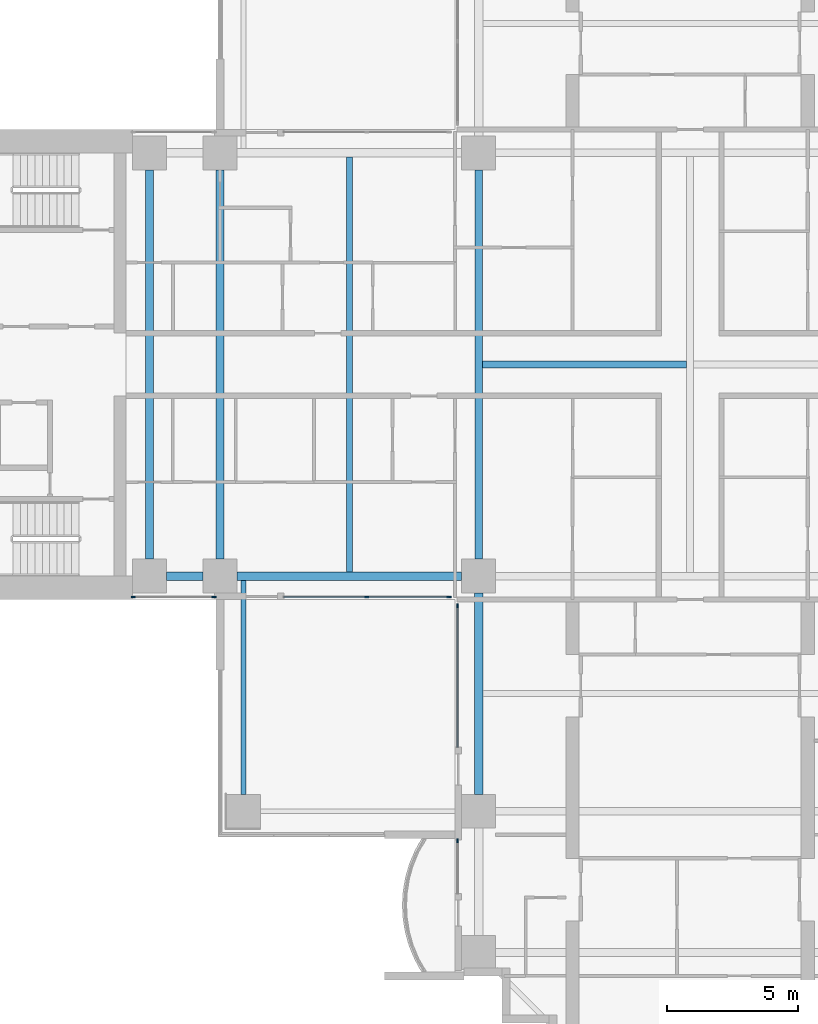
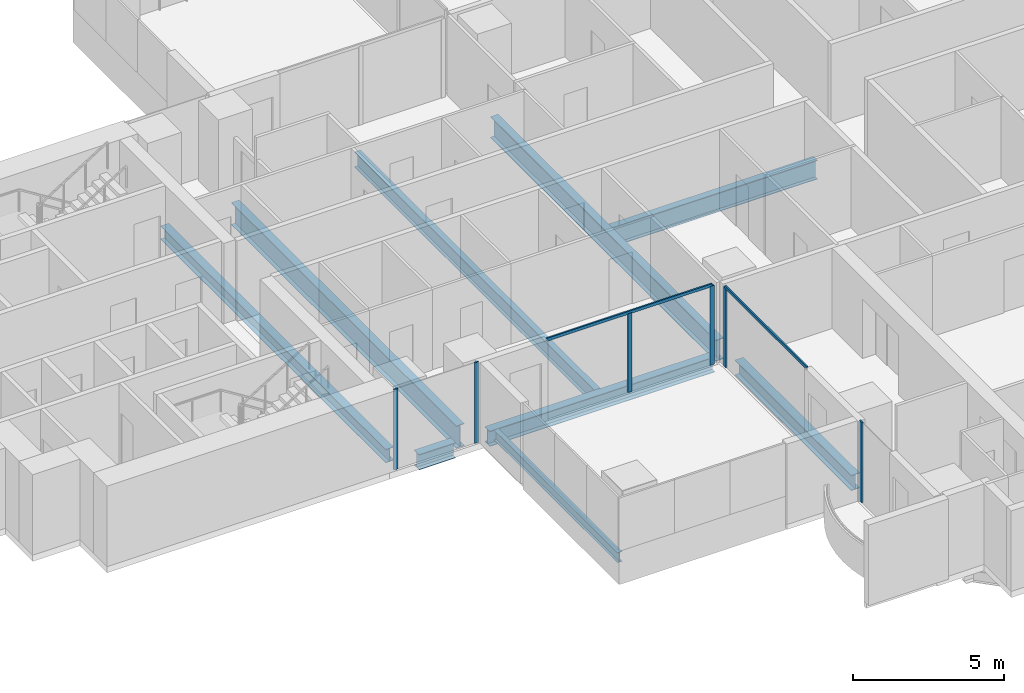
# One storey, part 2 of 21: 9 beams, 8 members, 4 elements without a shape of their own.
"""IFC4 building model written with IfcOpenShell, lengths in metres."""

from ifc_helpers import new_model, si_unit, direction, frame, origin, origin_2d, place, context, subcontext, project, spatial, rectangle, i_section, extrude, material, material_profile, profile_set, type_object, element, aggregate, save


model = new_model("IFC4")

# Units and contexts
model_context = context("Model", 3, precision=1e-05, world=origin(), true_north=direction((0.0, 1.0)))
body_context = subcontext(model_context, "Body", "Model", "MODEL_VIEW")
ifc_project = project(units=[si_unit("LENGTHUNIT", "METRE"), si_unit("AREAUNIT", "SQUARE_METRE"), si_unit("VOLUMEUNIT", "CUBIC_METRE"), si_unit("PLANEANGLEUNIT", "RADIAN"), si_unit("MASSUNIT", "GRAM", prefix="KILO")], contexts=[model_context])

# Site, building, storey
site_placement = place(None, origin())
site = spatial("IfcSite", under=ifc_project, at=site_placement, CompositionType="ELEMENT")
building_placement = place(site_placement, origin())
building = spatial("IfcBuilding", under=site, at=building_placement, Name="Perihelion Cross Residences", CompositionType="ELEMENT")
storey_placement = place(building_placement, frame((0.0, 0.0, 43.5)))
storey = spatial("IfcBuildingStorey", under=building, at=storey_placement, Name="L07", CompositionType="ELEMENT", Elevation=43.5)

# Curtain wall, members
ifc_material_1 = material(Name="Bronze anodised aluminium, tinted glazing", Category="aluminium")
curtain_wall_type = type_object("IfcCurtainWallType", Name="CW1", PredefinedType="NOTDEFINED", material=ifc_material_1)
curtain_wall_1_placement = place(storey_placement, origin())
curtain_wall_1 = element("IfcCurtainWall", 1, at=curtain_wall_1_placement, inside=storey, type_object=curtain_wall_type, Name="Curtain wall CW1 L07 west side south bay 1", PredefinedType="NOTDEFINED")
ifc_material_2 = material(Name="Bronze anodised aluminium", Category="aluminium")
ifc_material_profile_1 = material_profile(ifc_material_2, rectangle(XDim=0.06005859375, YDim=0.159912109375, at=origin_2d()), Name="CW1 mullion")
ifc_profile_set_1 = profile_set([ifc_material_profile_1], Name="Bronze anodised aluminium")
member_type_1 = type_object("IfcMemberType", Name="CW1 mullion", PredefinedType="MULLION", material=ifc_profile_set_1)
member_1_placement = place(storey_placement, frame((-21.320068359375, -8.89990234375, 0.0), z_axis=(0.0, 0.0, 1.0), x_axis=(0.0, 1.0, 0.0)))
member_1 = element("IfcMember", 2, at=member_1_placement, type_object=member_type_1, Name="CW1 mullion 1", PredefinedType="MULLION", context=body_context, shape_type="SweptSolid", body=[
    extrude(rectangle(XDim=0.06005859375, YDim=0.159912109375, at=origin_2d()), origin(), (0.0, 0.0, 1.0), 3.25),
])
member_2_placement = place(storey_placement, frame((-18.22998046875, -8.89990234375, 0.0), z_axis=(0.0, 0.0, 1.0), x_axis=(0.0, 1.0, 0.0)))
member_2 = element("IfcMember", 3, at=member_2_placement, type_object=member_type_1, Name="CW1 mullion 2", PredefinedType="MULLION", context=body_context, shape_type="SweptSolid", body=[
    extrude(rectangle(XDim=0.06005859375, YDim=0.159912109375, at=origin_2d()), origin(), (0.0, 0.0, 1.0), 3.25),
])
aggregate(curtain_wall_1, [member_1, member_2])

curtain_wall_2_placement = place(storey_placement, origin())
curtain_wall_2 = element("IfcCurtainWall", 4, at=curtain_wall_2_placement, inside=storey, type_object=curtain_wall_type, Name="Curtain wall CW1 L07 west side south bay 2", PredefinedType="NOTDEFINED")
member_3_placement = place(storey_placement, frame((-12.375, -8.89990234375, 0.0), z_axis=(0.0, 0.0, 1.0), x_axis=(0.0, 1.0, 0.0)))
member_3 = element("IfcMember", 5, at=member_3_placement, type_object=member_type_1, Name="CW1 mullion 2", PredefinedType="MULLION", context=body_context, shape_type="SweptSolid", body=[
    extrude(rectangle(XDim=0.06005859375, YDim=0.159912109375, at=origin_2d()), origin(), (0.0, 0.0, 1.0), 3.18994140625),
])
member_4_placement = place(storey_placement, frame((-9.22998046875, -8.89990234375, 0.0), z_axis=(0.0, 0.0, 1.0), x_axis=(0.0, 1.0, 0.0)))
member_4 = element("IfcMember", 6, at=member_4_placement, type_object=member_type_1, Name="CW1 mullion 3", PredefinedType="MULLION", context=body_context, shape_type="SweptSolid", body=[
    extrude(rectangle(XDim=0.06005859375, YDim=0.159912109375, at=origin_2d()), origin(), (0.0, 0.0, 1.0), 3.18994140625),
])

# Curtain wall, member
curtain_wall_3_placement = place(storey_placement, origin())
curtain_wall_3 = element("IfcCurtainWall", 7, at=curtain_wall_3_placement, inside=storey, type_object=curtain_wall_type, Name="Curtain wall CW1 L07 south side west bay 1", PredefinedType="NOTDEFINED")
member_5_placement = place(storey_placement, frame((-8.89990234375, -9.22998046875, 0.0), z_axis=(0.0, 0.0, 1.0), x_axis=(1.0, 0.0, 0.0)))
member_5 = element("IfcMember", 8, at=member_5_placement, type_object=member_type_1, Name="CW1 mullion 1", PredefinedType="MULLION", context=body_context, shape_type="SweptSolid", body=[
    extrude(rectangle(XDim=0.06005859375, YDim=0.159912109375, at=origin_2d()), origin(), (0.0, 0.0, 1.0), 3.18994140625),
])

curtain_wall_4_placement = place(storey_placement, origin())
curtain_wall_4 = element("IfcCurtainWall", 9, at=curtain_wall_4_placement, inside=storey, type_object=curtain_wall_type, Name="Curtain wall CW1 L07 south side west bay 2", PredefinedType="NOTDEFINED")
member_6_placement = place(storey_placement, frame((-8.89990234375, -18.22998046875, 0.0), z_axis=(0.0, 0.0, 1.0), x_axis=(1.0, 0.0, 0.0)))
member_6 = element("IfcMember", 10, at=member_6_placement, type_object=member_type_1, Name="CW1 mullion 1", PredefinedType="MULLION", context=body_context, shape_type="SweptSolid", body=[
    extrude(rectangle(XDim=0.06005859375, YDim=0.159912109375, at=origin_2d()), origin(), (0.0, 0.0, 1.0), 3.25),
])
aggregate(curtain_wall_4, [member_6])

# Member
ifc_material_3 = material(Name="Bronze anodised aluminium", Category="aluminium")
ifc_material_profile_2 = material_profile(ifc_material_3, rectangle(XDim=0.06005859375, YDim=0.1201171875, at=origin_2d()), Name="CW1 transom")
ifc_profile_set_2 = profile_set([ifc_material_profile_2], Name="Bronze anodised aluminium")
member_type_2 = type_object("IfcMemberType", Name="CW1 transom", PredefinedType="USERDEFINED", material=ifc_profile_set_2)
member_7_placement = place(storey_placement, frame((-15.550048828125, -8.89990234375, 3.219970703125), z_axis=(1.0, 0.0, 0.0), x_axis=(0.0, 1.0, 0.0)))
member_7 = element("IfcMember", 11, at=member_7_placement, type_object=member_type_2, Name="CW1 head transom", ObjectType="TRANSOM", PredefinedType="USERDEFINED", context=body_context, shape_type="SweptSolid", body=[
    extrude(rectangle(XDim=0.06005859375, YDim=0.1201171875, at=origin_2d()), origin(), (0.0, 0.0, 1.0), 6.320068359375),
])

aggregate(curtain_wall_2, [member_3, member_4, member_7])

member_8_placement = place(storey_placement, frame((-8.89990234375, -9.22998046875, 3.219970703125), z_axis=(0.0, -1.0, 0.0), x_axis=(1.0, 0.0, 0.0)))
member_8 = element("IfcMember", 12, at=member_8_placement, type_object=member_type_2, Name="CW1 head transom", ObjectType="TRANSOM", PredefinedType="USERDEFINED", context=body_context, shape_type="SweptSolid", body=[
    extrude(rectangle(XDim=0.06005859375, YDim=0.1201171875, at=origin_2d()), origin(), (0.0, 0.0, 1.0), 5.419921875),
])

aggregate(curtain_wall_3, [member_5, member_8])

# Beams
ifc_material_4 = material(Name="Steel S355", Category="steel")
ifc_material_profile_3 = material_profile(ifc_material_4, i_section(OverallWidth=0.177978515625, OverallDepth=0.406005859375, WebThickness=0.0078125, FlangeThickness=0.0126953125, at=origin_2d()), Name="W410x60")
ifc_profile_set_3 = profile_set([ifc_material_profile_3], Name="Steel S355")
beam_type_1 = type_object("IfcBeamType", Name="Core edge beam W410x60", PredefinedType="BEAM", material=ifc_profile_set_3)
beam_1_placement = place(storey_placement, frame((-17.10009765625, -8.262451171875, -0.452880859375), z_axis=(0.0, -1.0, 0.0), x_axis=(1.0, 0.0, 0.0)))
element("IfcBeam", 13, at=beam_1_placement, inside=storey, type_object=beam_type_1, Name="Core edge beam TB2 L07 corner no. 1", PredefinedType="BEAM", context=body_context, shape_type="SweptSolid", body=[
    extrude(i_section(OverallWidth=0.177978515625, OverallDepth=0.406005859375, WebThickness=0.0078125, FlangeThickness=0.0126953125, at=origin_2d()), origin(), (0.0, 0.0, 1.0), 8.1875),
])
ifc_material_5 = material(Name="Steel S355", Category="steel")
ifc_material_profile_4 = material_profile(ifc_material_5, i_section(OverallWidth=0.31201171875, OverallDepth=0.5439453125, WebThickness=0.0126953125, FlangeThickness=0.020263671875, at=origin_2d()), Name="W530x150")
ifc_profile_set_4 = profile_set([ifc_material_profile_4], Name="Steel S355")
beam_type_2 = type_object("IfcBeamType", Name="Core edge beam W530x150", PredefinedType="BEAM", material=ifc_profile_set_4)
beam_2_placement = place(storey_placement, frame((-20.699951171875, -7.449951171875, -0.52197265625), z_axis=(0.0, 1.0, 0.0), x_axis=(-1.0, 0.0, 0.0)))
element("IfcBeam", 14, at=beam_2_placement, inside=storey, type_object=beam_type_2, Name="Core edge beam TB4 L07 no. 1", PredefinedType="BEAM", context=body_context, shape_type="SweptSolid", body=[
    extrude(i_section(OverallWidth=0.31201171875, OverallDepth=0.5439453125, WebThickness=0.0126953125, FlangeThickness=0.020263671875, at=origin_2d()), origin(), (0.0, 0.0, 1.0), 14.89990234375),
])
ifc_material_6 = material(Name="Steel S355", Category="steel")
ifc_material_profile_5 = material_profile(ifc_material_6, i_section(OverallWidth=0.324951171875, OverallDepth=0.616943359375, WebThickness=0.013916015625, FlangeThickness=0.021484375, at=origin_2d()), Name="W610x174")
ifc_profile_set_5 = profile_set([ifc_material_profile_5], Name="Steel S355")
beam_type_3 = type_object("IfcBeamType", Name="Edge beam W610x174", PredefinedType="SPANDREL", material=ifc_profile_set_5)
beam_3_placement = place(storey_placement, frame((-20.050048828125, -8.10009765625, -0.55859375), z_axis=(1.0, 0.0, 0.0), x_axis=(0.0, 1.0, 0.0)))
element("IfcBeam", 15, at=beam_3_placement, inside=storey, type_object=beam_type_3, Name="Edge beam SB2 L07 no. 3", PredefinedType="SPANDREL", context=body_context, shape_type="SweptSolid", body=[
    extrude(i_section(OverallWidth=0.324951171875, OverallDepth=0.616943359375, WebThickness=0.013916015625, FlangeThickness=0.021484375, at=origin_2d()), origin(), (0.0, 0.0, 1.0), 1.400146484375),
])
beam_4_placement = place(storey_placement, frame((-17.35009765625, -8.10009765625, -0.55859375), z_axis=(1.0, 0.0, 0.0), x_axis=(0.0, 1.0, 0.0)))
element("IfcBeam", 16, at=beam_4_placement, inside=storey, type_object=beam_type_3, Name="Edge beam SB2 L07 no. 1", PredefinedType="SPANDREL", context=body_context, shape_type="SweptSolid", body=[
    extrude(i_section(OverallWidth=0.324951171875, OverallDepth=0.616943359375, WebThickness=0.013916015625, FlangeThickness=0.021484375, at=origin_2d()), origin(), (0.0, 0.0, 1.0), 8.60009765625),
])
beam_5_placement = place(storey_placement, frame((-8.10009765625, -8.75, -0.55859375), z_axis=(0.0, -1.0, 0.0), x_axis=(1.0, 0.0, 0.0)))
element("IfcBeam", 17, at=beam_5_placement, inside=storey, type_object=beam_type_3, Name="Edge beam SB2 L07 no. 6", PredefinedType="SPANDREL", context=body_context, shape_type="SweptSolid", body=[
    extrude(i_section(OverallWidth=0.324951171875, OverallDepth=0.616943359375, WebThickness=0.013916015625, FlangeThickness=0.021484375, at=origin_2d()), origin(), (0.0, 0.0, 1.0), 7.699951171875),
])
ifc_material_7 = material(Name="Steel S355", Category="steel")
ifc_material_profile_6 = material_profile(ifc_material_7, i_section(OverallWidth=0.304931640625, OverallDepth=0.904052734375, WebThickness=0.01513671875, FlangeThickness=0.02001953125, at=origin_2d()), Name="W920x201")
ifc_profile_set_6 = profile_set([ifc_material_profile_6], Name="Steel S355")
beam_type_4 = type_object("IfcBeamType", Name="Floor girder W920x201", PredefinedType="BEAM", material=ifc_profile_set_6)
beam_6_placement = place(storey_placement, frame((-18.0, -7.449951171875, -0.701904296875), z_axis=(0.0, 1.0, 0.0), x_axis=(-1.0, 0.0, 0.0)))
element("IfcBeam", 18, at=beam_6_placement, inside=storey, type_object=beam_type_4, Name="Girder G2 L07 no. 1", PredefinedType="BEAM", context=body_context, shape_type="SweptSolid", body=[
    extrude(i_section(OverallWidth=0.304931640625, OverallDepth=0.904052734375, WebThickness=0.01513671875, FlangeThickness=0.02001953125, at=origin_2d()), origin(), (0.0, 0.0, 1.0), 14.89990234375),
])
ifc_material_8 = material(Name="Steel S355", Category="steel")
ifc_material_profile_7 = material_profile(ifc_material_8, i_section(OverallWidth=0.22900390625, OverallDepth=0.612060546875, WebThickness=0.011962890625, FlangeThickness=0.01953125, at=origin_2d()), Name="W610x125")
ifc_profile_set_7 = profile_set([ifc_material_profile_7], Name="Steel S355")
beam_type_5 = type_object("IfcBeamType", Name="Floor joist W610x125", PredefinedType="JOIST", material=ifc_profile_set_7)
beam_7_placement = place(storey_placement, frame((-13.050048828125, -7.9375, -0.555908203125), z_axis=(0.0, 1.0, 0.0), x_axis=(-1.0, 0.0, 0.0)))
element("IfcBeam", 19, at=beam_7_placement, inside=storey, type_object=beam_type_5, Name="Joist J3 L07 no. 1", PredefinedType="JOIST", context=body_context, shape_type="SweptSolid", body=[
    extrude(i_section(OverallWidth=0.22900390625, OverallDepth=0.612060546875, WebThickness=0.011962890625, FlangeThickness=0.01953125, at=origin_2d()), origin(), (0.0, 0.0, 1.0), 15.875),
])
ifc_material_9 = material(Name="Steel S355", Category="steel")
ifc_material_profile_8 = material_profile(ifc_material_9, i_section(OverallWidth=0.26708984375, OverallDepth=0.77001953125, WebThickness=0.015625, FlangeThickness=0.025390625, at=origin_2d()), Name="W760x196")
ifc_profile_set_8 = profile_set([ifc_material_profile_8], Name="Steel S355")
beam_type_6 = type_object("IfcBeamType", Name="Hub cross beam W760x196", PredefinedType="BEAM", material=ifc_profile_set_8)
beam_8_placement = place(storey_placement, frame((-7.9541015625, 0.0, -0.635009765625), z_axis=(1.0, 0.0, 0.0), x_axis=(0.0, 1.0, 0.0)))
element("IfcBeam", 20, at=beam_8_placement, inside=storey, type_object=beam_type_6, Name="Hub cross beam XB2 L07 1 no. 1", PredefinedType="BEAM", context=body_context, shape_type="SweptSolid", body=[
    extrude(i_section(OverallWidth=0.26708984375, OverallDepth=0.77001953125, WebThickness=0.015625, FlangeThickness=0.025390625, at=origin_2d()), origin(), (0.0, 0.0, 1.0), 7.820556640625),
])
ifc_material_10 = material(Name="Steel S355", Category="steel")
ifc_material_profile_9 = material_profile(ifc_material_10, i_section(OverallWidth=0.2919921875, OverallDepth=0.85888671875, WebThickness=0.01708984375, FlangeThickness=0.031005859375, at=origin_2d()), Name="W840x251")
ifc_profile_set_9 = profile_set([ifc_material_profile_9], Name="Steel S355")
beam_type_7 = type_object("IfcBeamType", Name="Hub ring girder W840x251", PredefinedType="BEAM", material=ifc_profile_set_9)
beam_9_placement = place(storey_placement, frame((-8.10009765625, 7.449951171875, -0.679443359375), z_axis=(0.0, -1.0, 0.0), x_axis=(1.0, 0.0, 0.0)))
element("IfcBeam", 21, at=beam_9_placement, inside=storey, type_object=beam_type_7, Name="Hub ring girder RG2 L07 no. 2", PredefinedType="BEAM", context=body_context, shape_type="SweptSolid", body=[
    extrude(i_section(OverallWidth=0.2919921875, OverallDepth=0.85888671875, WebThickness=0.01708984375, FlangeThickness=0.031005859375, at=origin_2d()), origin(), (0.0, 0.0, 1.0), 14.89990234375),
])

save(model, "model.ifc")
